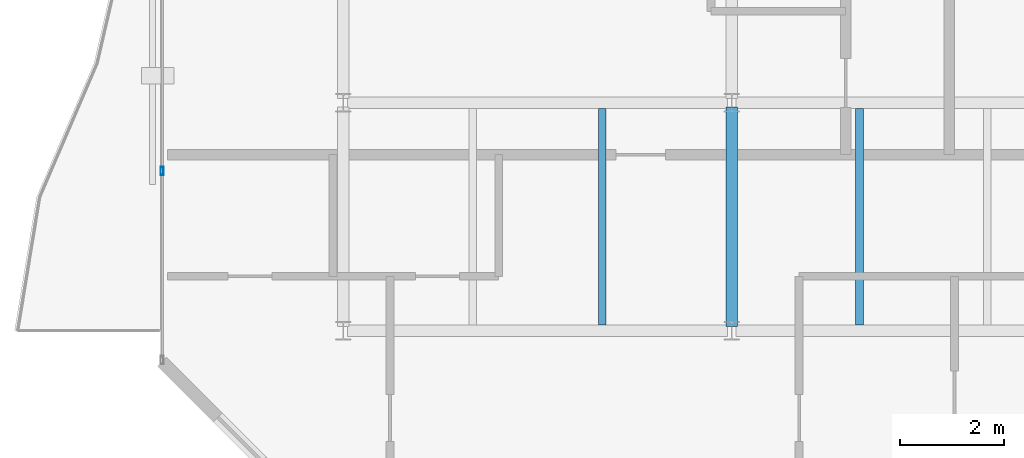
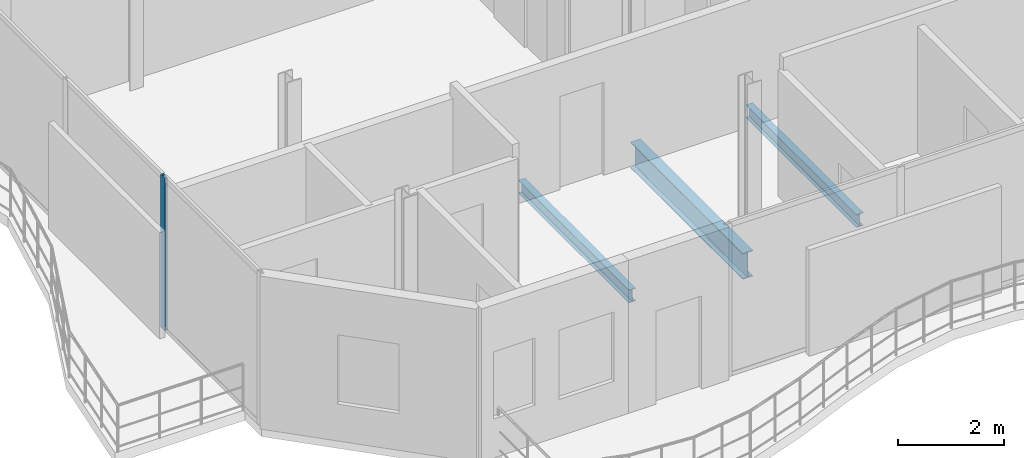
# One storey, part 5 of 22: 3 beams, 1 member, 1 element without a shape of its own.
"""IFC4 building model written with IfcOpenShell, lengths in metres."""

import ifcopenshell
import ifcopenshell.guid

model = None  # the IFC model being written
_history = None  # IfcOwnerHistory: only IFC2X3 demands one
_inside = {}  # id of a spatial element -> (the spatial element, [elements in it])
_under = {}  # id of a project, library or spatial element -> (it, [spatial elements below it])
_declared = {}  # id of a project -> (the project, [libraries it declares])
_typed = {}  # id of a type object -> (the type object, [elements of that type])
_made_of = {}  # id of a material, layer set ... -> (it, [elements and type objects made of it])


def new_model(schema):
    """Start an empty IFC model of exactly this schema.

    Asked for "IFC4X3", IfcOpenShell would pick the latest addendum, in which some entities
    have other attributes; the version numbers below select the first issue.
    IFC2X3 requires an IfcOwnerHistory on every rooted entity: one is made here for all.
    """
    global model, _history
    if schema == "IFC4X3":
        model = ifcopenshell.file(schema_version=(4, 3, 0, 0))
    else:
        model = ifcopenshell.file(schema=schema)
    _inside.clear()
    _under.clear()
    _declared.clear()
    _typed.clear()
    _made_of.clear()
    _history = None
    if model.schema == "IFC2X3":
        org = make("IfcOrganization", Name="unknown")
        user = make(
            "IfcPersonAndOrganization",
            ThePerson=make("IfcPerson", FamilyName="unknown"),
            TheOrganization=org,
        )
        app = make(
            "IfcApplication",
            ApplicationDeveloper=org,
            Version="unknown",
            ApplicationFullName="unknown",
            ApplicationIdentifier="unknown",
        )
        _history = make(
            "IfcOwnerHistory",
            OwningUser=user,
            OwningApplication=app,
            ChangeAction="ADDED",
            CreationDate=0,
        )
    return model


def make(cls, **values):
    """One entity of the class cls with the attributes given. An attribute that is None is left unset."""
    return model.create_entity(
        cls, **{name: value for name, value in values.items() if value is not None}
    )


def rooted(cls, **values):
    """An entity with a GlobalId (a new one), such as an element, a storey or a relation."""
    return make(cls, GlobalId=ifcopenshell.guid.new(), OwnerHistory=_history, **values)


def si_unit(unit_type, name, prefix=None):
    """IfcSIUnit, for example si_unit("LENGTHUNIT", "METRE", prefix="MILLI")."""
    return make("IfcSIUnit", UnitType=unit_type, Prefix=prefix, Name=name)


def assignment(units):
    """IfcUnitAssignment: the units of a project."""
    return None if units is None else make("IfcUnitAssignment", Units=units)


def point(xyz):
    """IfcCartesianPoint."""
    return None if xyz is None else make("IfcCartesianPoint", Coordinates=xyz)


def direction(xyz):
    """IfcDirection."""
    return None if xyz is None else make("IfcDirection", DirectionRatios=xyz)


def frame(location, z_axis=None, x_axis=None):
    """IfcAxis2Placement3D, a coordinate frame: its origin and axes. An axis left out is left unset."""
    return make(
        "IfcAxis2Placement3D",
        Location=point(location),
        Axis=direction(z_axis),
        RefDirection=direction(x_axis),
    )


def frame_2d(location, x_axis=None):
    """IfcAxis2Placement2D, a coordinate frame in the plane: its origin and x axis."""
    return make(
        "IfcAxis2Placement2D", Location=point(location), RefDirection=direction(x_axis)
    )


def origin():
    """The frame at (0, 0, 0) with its axes left unset."""
    return frame((0.0, 0.0, 0.0))


def origin_2d():
    """The frame at (0, 0) in the plane with its x axis left unset."""
    return frame_2d((0.0, 0.0))


def place(relative_to, where):
    """IfcLocalPlacement: puts the frame where relative to a parent placement (None: the world)."""
    return make(
        "IfcLocalPlacement", PlacementRelTo=relative_to, RelativePlacement=where
    )


def context(
    kind, dimensions, precision=None, world=None, true_north=None, identifier=None
):
    """IfcGeometricRepresentationContext, for example the 3D "Model" context."""
    return make(
        "IfcGeometricRepresentationContext",
        ContextIdentifier=identifier,
        ContextType=kind,
        CoordinateSpaceDimension=dimensions,
        Precision=precision,
        WorldCoordinateSystem=world,
        TrueNorth=true_north,
    )


def subcontext(parent, identifier, kind, view, scale=None):
    """IfcGeometricRepresentationSubContext, for example "Body" below "Model"."""
    return make(
        "IfcGeometricRepresentationSubContext",
        ContextIdentifier=identifier,
        ContextType=kind,
        ParentContext=parent,
        TargetScale=scale,
        TargetView=view,
    )


def project(units=None, contexts=None):
    """IfcProject with its units and contexts."""
    return rooted(
        "IfcProject",
        Name="project",
        RepresentationContexts=contexts,
        UnitsInContext=assignment(units),
    )


def spatial(cls, under=None, at=None, **own):
    """A site, building, storey or space (cls), placed at a placement, below another one or the project."""
    s = rooted(cls, ObjectPlacement=at, **own)
    if under is not None:
        _under.setdefault(under.id(), (under, []))[1].append(s)
    return s


def profile(cls, at=None, kind="AREA", **sizes):
    """A parametric profile (cls). Its sizes go by their IFC names, for example OverallWidth=200.0."""
    return make(cls, ProfileType=kind, Position=at, **sizes)


def hollow_rectangle(**sizes):
    """IfcRectangleHollowProfileDef."""
    return profile("IfcRectangleHollowProfileDef", **sizes)


def i_section(**sizes):
    """IfcIShapeProfileDef."""
    return profile("IfcIShapeProfileDef", **sizes)


def extrude(swept, where, along, depth):
    """IfcExtrudedAreaSolid: the profile swept, set in the frame where, extruded along a direction by depth."""
    return make(
        "IfcExtrudedAreaSolid",
        SweptArea=swept,
        Position=where,
        ExtrudedDirection=direction(along),
        Depth=depth,
    )


def shape(context_of_items, identifier, shape_type, items):
    """IfcShapeRepresentation: the items that make up one representation, for example the "Body"."""
    return make(
        "IfcShapeRepresentation",
        ContextOfItems=context_of_items,
        RepresentationIdentifier=identifier,
        RepresentationType=shape_type,
        Items=items,
    )


def material(Name=None, Category=None):
    """IfcMaterial."""
    return make("IfcMaterial", Name=Name, Category=Category)


def layer(
    of_material, thickness, ventilated=None, Name=None, Category=None, Priority=None
):
    """IfcMaterialLayer: one layer of a wall or slab, of a material (None: an air gap)."""
    return make(
        "IfcMaterialLayer",
        Material=of_material,
        LayerThickness=thickness,
        IsVentilated=ventilated,
        Name=Name,
        Category=Category,
        Priority=Priority,
    )


def layer_set(layers, Name=None):
    """IfcMaterialLayerSet."""
    return make("IfcMaterialLayerSet", MaterialLayers=layers, LayerSetName=Name)


def material_profile(
    of_material, cross_section, Name=None, Category=None, Priority=None
):
    """IfcMaterialProfile: a cross section and its material."""
    return make(
        "IfcMaterialProfile",
        Name=Name,
        Material=of_material,
        Profile=cross_section,
        Priority=Priority,
        Category=Category,
    )


def profile_set(profiles, Name=None, composite=None):
    """IfcMaterialProfileSet."""
    return make(
        "IfcMaterialProfileSet",
        Name=Name,
        MaterialProfiles=profiles,
        CompositeProfile=composite,
    )


def made_of(thing, what):
    """Note that an element or type object is made of a material, layer set ...; save() writes the relation."""
    if what is not None:
        _made_of.setdefault(what.id(), (what, []))[1].append(thing)
    return thing


def type_object(cls, material=None, **own):
    """A type object (cls), such as IfcWallType, which elements share."""
    return made_of(rooted(cls, **own), material)


def element(
    cls,
    number,
    at=None,
    inside=None,
    cuts=None,
    type_object=None,
    material=None,
    context=None,
    identifier="Body",
    shape_type=None,
    held_by="IfcProductDefinitionShape",
    body=None,
    shapes=None,
    **own,
):
    """One element of the class cls, such as IfcWall. Its Tag is "e" and its number.

    at: its placement. inside: the storey or other place that contains it. cuts: it is an
    opening in that element (IfcRelVoidsElement). A single representation is given by context,
    identifier, shape_type and body (its items); several are given by shapes. held_by: the class
    of the entity that holds the representations. save() writes the other relations.
    """
    e = rooted(cls, Tag="e%d" % number, ObjectPlacement=at, **own)
    if body is not None:
        shapes = [shape(context, identifier, shape_type, body)]
    if shapes is not None:
        e.Representation = make(held_by, Representations=shapes)
    if inside is not None:
        _inside.setdefault(inside.id(), (inside, []))[1].append(e)
    if cuts is not None:
        rooted(
            "IfcRelVoidsElement", RelatingBuildingElement=cuts, RelatedOpeningElement=e
        )
    if type_object is not None:
        _typed.setdefault(type_object.id(), (type_object, []))[1].append(e)
    return made_of(e, material)


def aggregate(whole, parts):
    """IfcRelAggregates: a whole, such as a stair, and the parts it consists of."""
    return rooted("IfcRelAggregates", RelatingObject=whole, RelatedObjects=parts)


def save(model, path):
    """Write the relations noted so far, then the file.

    IfcRelAggregates (storeys below a building ...), IfcRelContainedInSpatialStructure (elements
    in a storey), IfcRelDefinesByType, IfcRelAssociatesMaterial and IfcRelDeclares: one each for
    every whole, place, type object, material and project.
    """
    for whole, parts in _under.values():
        aggregate(whole, parts)
    for where, things in _inside.values():
        rooted(
            "IfcRelContainedInSpatialStructure",
            RelatedElements=things,
            RelatingStructure=where,
        )
    for kind, things in _typed.values():
        rooted("IfcRelDefinesByType", RelatedObjects=things, RelatingType=kind)
    for what, things in _made_of.values():
        rooted("IfcRelAssociatesMaterial", RelatedObjects=things, RelatingMaterial=what)
    for by, libraries in _declared.values():
        rooted("IfcRelDeclares", RelatingContext=by, RelatedDefinitions=libraries)
    model.write(path)


model = new_model("IFC4")

# Units and contexts
model_context = context("Model", 3, precision=1e-05, world=origin(), true_north=direction((0.0, 1.0)))
body_context = subcontext(model_context, "Body", "Model", "MODEL_VIEW")
ifc_project = project(units=[si_unit("LENGTHUNIT", "METRE"), si_unit("AREAUNIT", "SQUARE_METRE"), si_unit("VOLUMEUNIT", "CUBIC_METRE"), si_unit("PLANEANGLEUNIT", "RADIAN"), si_unit("MASSUNIT", "GRAM", prefix="KILO")], contexts=[model_context])

# Site, building, storey
site_placement = place(None, origin())
site = spatial("IfcSite", under=ifc_project, at=site_placement, CompositionType="ELEMENT")
building_placement = place(site_placement, origin())
building = spatial("IfcBuilding", under=site, at=building_placement, Name="Catumbela Crestline Tower", CompositionType="ELEMENT")
storey_placement = place(building_placement, frame((0.0, 0.0, 229.8)))
storey = spatial("IfcBuildingStorey", under=building, at=storey_placement, Name="L59", CompositionType="ELEMENT", Elevation=229.8)

# Beams
ifc_material_1 = material(Name="Structural steel S355J2", Category="steel")
ifc_material_profile_1 = material_profile(ifc_material_1, i_section(OverallWidth=0.22, OverallDepth=0.6, WebThickness=0.012, FlangeThickness=0.019, FilletRadius=0.024, at=origin_2d()), Name="IPE 600")
ifc_profile_set_1 = profile_set([ifc_material_profile_1], Name="Structural steel S355J2")
beam_type_1 = type_object("IfcBeamType", Name="BG-IPE600", PredefinedType="BEAM", material=ifc_profile_set_1)
beam_placement = place(storey_placement, frame((16.0, 13.68, -0.56), z_axis=(0.0, 1.0, 0.0), x_axis=(-1.0, 0.0, 0.0)))
element("IfcBeam", 1, at=beam_placement, inside=storey, type_object=beam_type_1, Name="L59 Beam BM-L59-WNS33", PredefinedType="BEAM", context=body_context, shape_type="SweptSolid", body=[
    extrude(i_section(OverallWidth=0.22, OverallDepth=0.6, WebThickness=0.012, FlangeThickness=0.019, FilletRadius=0.024, at=origin_2d()), origin(), (0.0, 0.0, 1.0), 4.24),
])
ifc_material_profile_2 = material_profile(ifc_material_1, i_section(OverallWidth=0.15, OverallDepth=0.3, WebThickness=0.0071, FlangeThickness=0.0107, FilletRadius=0.015, at=origin_2d()), Name="IPE 300")
ifc_profile_set_2 = profile_set([ifc_material_profile_2], Name="Structural steel S355J2")
beam_type_2 = type_object("IfcBeamType", Name="BJ-IPE300", PredefinedType="JOIST", material=ifc_profile_set_2)
for number, where, z_axis, x_axis, name in (
    (2, (13.5, 13.71, -0.41), (0.0, 1.0, 0.0), (-1.0, 0.0, 0.0), "L59 Joist JS-L59-WG37"),
    (3, (18.467, 13.71, -0.41), (0.0, 1.0, 0.0), (-1.0, 0.0, 0.0), "L59 Joist JS-L59-WG38"),
):
    element("IfcBeam", number, at=place(storey_placement, frame(where, z_axis=z_axis, x_axis=x_axis)), inside=storey, type_object=beam_type_2, Name=name, PredefinedType="JOIST", context=body_context, shape_type="SweptSolid", body=[
        extrude(i_section(OverallWidth=0.15, OverallDepth=0.3, WebThickness=0.0071, FlangeThickness=0.0107, FilletRadius=0.015, at=origin_2d()), origin(), (0.0, 0.0, 1.0), 4.18),
    ])

# Curtain wall, member
ifc_material_2 = material(Name="Aluminium alloy AW-6060-T66", Category="aluminium")
ifc_layer = layer(ifc_material_2, 0.18, Name="Aluminium alloy AW-6060-T66")
ifc_layer_set = layer_set([ifc_layer], Name="Aluminium alloy AW-6060-T66")
curtain_wall_type = type_object("IfcCurtainWallType", Name="CWU-Z4", PredefinedType="USERDEFINED", material=ifc_layer_set)
curtain_wall_placement = place(storey_placement, origin())
curtain_wall = element("IfcCurtainWall", 4, at=curtain_wall_placement, inside=storey, type_object=curtain_wall_type, Name="L59 Unitised Curtain Wall CW-L59-E9S2", ObjectType="UNITISED", PredefinedType="USERDEFINED")
ifc_material_profile_3 = material_profile(ifc_material_2, hollow_rectangle(XDim=0.06, YDim=0.16, WallThickness=0.004, at=origin_2d()), Name="ALU 160x60x4")
ifc_profile_set_3 = profile_set([ifc_material_profile_3], Name="Aluminium alloy AW-6060-T66")
member_type = type_object("IfcMemberType", Name="MUL-160X60", PredefinedType="MULLION", material=ifc_profile_set_3)
member_placement = place(storey_placement, frame((5.0, 16.6833, 0.0), z_axis=(0.0, 0.0, 1.0), x_axis=(1.0, 0.0, 0.0)))
member = element("IfcMember", 5, at=member_placement, type_object=member_type, Name="CWU-Z4 mullion 6", PredefinedType="MULLION", context=body_context, shape_type="SweptSolid", body=[
    extrude(hollow_rectangle(XDim=0.06, YDim=0.16, WallThickness=0.004, at=origin_2d()), origin(), (0.0, 0.0, 1.0), 3.53),
])
aggregate(curtain_wall, [member])

save(model, "model.ifc")
